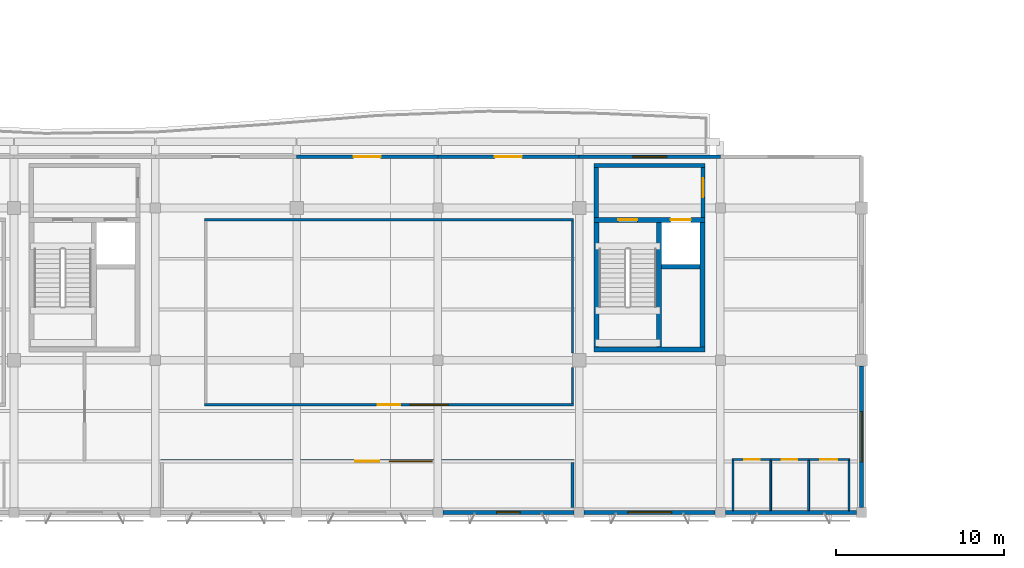
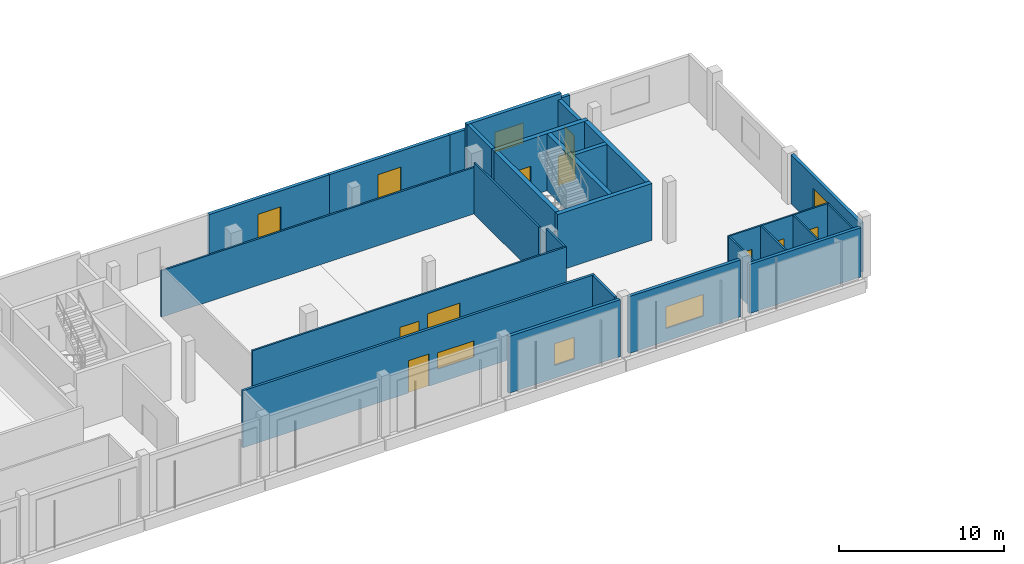
# One storey, part 17 of 28: 27 walls, 10 doors, 6 windows, 16 openings.
"""IFC4 building model written with IfcOpenShell, lengths in metres."""

from ifc_helpers import new_model, si_unit, direction, frame, frame_2d, origin, place, context, subcontext, project, spatial, rectangle, extrude, material, layer, layer_set, type_object, element, fill, save


model = new_model("IFC4")

# Units and contexts
model_context = context("Model", 3, precision=1e-05, world=origin(), true_north=direction((0.0, 1.0)))
body_context = subcontext(model_context, "Body", "Model", "MODEL_VIEW")
ifc_project = project(units=[si_unit("LENGTHUNIT", "METRE"), si_unit("AREAUNIT", "SQUARE_METRE"), si_unit("VOLUMEUNIT", "CUBIC_METRE"), si_unit("PLANEANGLEUNIT", "RADIAN"), si_unit("MASSUNIT", "GRAM", prefix="KILO")], contexts=[model_context])

# Site, building, storey
site_placement = place(None, origin())
site = spatial("IfcSite", under=ifc_project, at=site_placement, CompositionType="ELEMENT")
building_placement = place(site_placement, origin())
building = spatial("IfcBuilding", under=site, at=building_placement, Name="Khurvash Pelagic Aquarium", CompositionType="ELEMENT")
storey_placement = place(building_placement, frame((0.0, 0.0, 20.10009765625)))
storey = spatial("IfcBuildingStorey", under=building, at=storey_placement, Name="L04", CompositionType="ELEMENT", Elevation=20.10009765625)

# Wall, opening, window
ifc_material_1 = material(Name="Glass-fibre reinforced concrete C40/50", Category="concrete")
ifc_layer_1 = layer(ifc_material_1, 0.219970703125)
ifc_layer_set_1 = layer_set([ifc_layer_1], Name="Glass-fibre reinforced concrete C40/50")
wall_type_1 = type_object("IfcWallType", Name="EW-220", PredefinedType="STANDARD", material=ifc_layer_set_1)
wall_1_placement = place(storey_placement, frame((84.304931640625, 2.60009765625, 0.0), z_axis=(0.0, 0.0, 1.0), x_axis=(1.0, 0.0, 0.0)))
wall_1 = element("IfcWall", 1, at=wall_1_placement, inside=storey, type_object=wall_type_1, Name="L04 Exterior Architectural Facade Wall EW-220 0170", PredefinedType="STANDARD", context=body_context, shape_type="SweptSolid", body=[
    extrude(rectangle(XDim=7.7900390625, YDim=0.219970703125, at=frame_2d((3.89501953125, 0.0))), origin(), (0.0, 0.0, 1.0), 4.199951171875),
])
opening_1_placement = place(wall_1_placement, frame((3.195068359375, 0.0, 0.949951171875)))
opening_1 = element("IfcOpeningElement", 2, at=opening_1_placement, cuts=wall_1, Name="Opening WN-10", PredefinedType="OPENING", context=body_context, shape_type="SweptSolid", body=[
    extrude(rectangle(XDim=1.39990234375, YDim=1.60009765625, at=frame_2d((0.699951171875, 0.800048828125))), frame((0.0, 0.1201171875, 0.0), z_axis=(0.0, -1.0, 0.0), x_axis=(1.0, 0.0, 0.0)), (0.0, 0.0, 1.0), 0.239990234375),
])
ifc_material_2 = material(Name="Thermally broken aluminium and low-E glass", Category="aluminium")
window_type_1 = type_object("IfcWindowType", Name="WN-10", PartitioningType="SINGLE_PANEL", PredefinedType="WINDOW", material=ifc_material_2)
window_1_placement = place(opening_1_placement, origin())
window_1 = element("IfcWindow", 3, at=window_1_placement, inside=storey, type_object=window_type_1, Name="L04 Facade Window WN-10 0115", OverallHeight=1.60009765625, OverallWidth=1.39990234375, PartitioningType="SINGLE_PANEL", PredefinedType="WINDOW", context=body_context, shape_type="SweptSolid", body=[
    extrude(rectangle(XDim=1.39990234375, YDim=1.60009765625, at=frame_2d((0.699951171875, 0.800048828125))), frame((0.0, 0.030029296875, 0.0), z_axis=(0.0, -1.0, 0.0), x_axis=(1.0, 0.0, 0.0)), (0.0, 0.0, 1.0), 0.06005859375),
])
fill(opening_1, window_1)

wall_2_placement = place(storey_placement, frame((92.705078125, 2.60009765625, 0.0), z_axis=(0.0, 0.0, 1.0), x_axis=(1.0, 0.0, 0.0)))
wall_2 = element("IfcWall", 4, at=wall_2_placement, inside=storey, type_object=wall_type_1, Name="L04 Exterior Architectural Facade Wall EW-220 0171", PredefinedType="STANDARD", context=body_context, shape_type="SweptSolid", body=[
    extrude(rectangle(XDim=7.7900390625, YDim=0.219970703125, at=frame_2d((3.89501953125, 0.0))), origin(), (0.0, 0.0, 1.0), 4.199951171875),
])
opening_2_placement = place(wall_2_placement, frame((2.594970703125, 0.0, 0.949951171875)))
opening_2 = element("IfcOpeningElement", 5, at=opening_2_placement, cuts=wall_2, Name="Opening WN-12", PredefinedType="OPENING", context=body_context, shape_type="SweptSolid", body=[
    extrude(rectangle(XDim=2.60009765625, YDim=1.60009765625, at=frame_2d((1.300048828125, 0.800048828125))), frame((0.0, 0.1201171875, 0.0), z_axis=(0.0, -1.0, 0.0), x_axis=(1.0, 0.0, 0.0)), (0.0, 0.0, 1.0), 0.239990234375),
])
window_type_2 = type_object("IfcWindowType", Name="WN-12", PartitioningType="SINGLE_PANEL", PredefinedType="WINDOW", material=ifc_material_2)
window_2_placement = place(opening_2_placement, origin())
window_2 = element("IfcWindow", 6, at=window_2_placement, inside=storey, type_object=window_type_2, Name="L04 Facade Window WN-12 0116", OverallHeight=1.60009765625, OverallWidth=2.60009765625, PartitioningType="SINGLE_PANEL", PredefinedType="WINDOW", context=body_context, shape_type="SweptSolid", body=[
    extrude(rectangle(XDim=2.60009765625, YDim=1.60009765625, at=frame_2d((1.300048828125, 0.800048828125))), frame((0.0, 0.030029296875, 0.0), z_axis=(0.0, -1.0, 0.0), x_axis=(1.0, 0.0, 0.0)), (0.0, 0.0, 1.0), 0.06005859375),
])
fill(opening_2, window_2)

# Wall
wall_3_placement = place(storey_placement, frame((101.10498046875, 2.60009765625, 0.0), z_axis=(0.0, 0.0, 1.0), x_axis=(1.0, 0.0, 0.0)))
element("IfcWall", 7, at=wall_3_placement, inside=storey, type_object=wall_type_1, Name="L04 Exterior Architectural Facade Wall EW-220 0172", PredefinedType="STANDARD", context=body_context, shape_type="SweptSolid", body=[
    extrude(rectangle(XDim=7.7900390625, YDim=0.219970703125, at=frame_2d((3.89501953125, 0.0))), origin(), (0.0, 0.0, 1.0), 3.630859375),
])

# Wall, opening, window
wall_4_placement = place(storey_placement, frame((109.199951171875, 2.905029296875, 0.0), z_axis=(0.0, 0.0, 1.0), x_axis=(0.0, 1.0, 0.0)))
wall_4 = element("IfcWall", 8, at=wall_4_placement, inside=storey, type_object=wall_type_1, Name="L04 Exterior Architectural Facade Wall EW-220 0173", PredefinedType="STANDARD", context=body_context, shape_type="SweptSolid", body=[
    extrude(rectangle(XDim=8.389892578125, YDim=0.219970703125, at=frame_2d((4.19482421875, 0.0))), origin(), (0.0, 0.0, 1.0), 3.630859375),
])
opening_3_placement = place(wall_4_placement, frame((2.695068359375, 0.0, 0.949951171875)))
opening_3 = element("IfcOpeningElement", 9, at=opening_3_placement, cuts=wall_4, Name="Opening WN-06", PredefinedType="OPENING", context=body_context, shape_type="SweptSolid", body=[
    extrude(rectangle(XDim=3.0, YDim=1.800048828125, at=frame_2d((1.5, 0.89990234375))), frame((0.0, 0.1201171875, 0.0), z_axis=(0.0, -1.0, 0.0), x_axis=(1.0, 0.0, 0.0)), (0.0, 0.0, 1.0), 0.239990234375),
])
window_type_3 = type_object("IfcWindowType", Name="WN-06", PartitioningType="SINGLE_PANEL", PredefinedType="WINDOW", material=ifc_material_2)
window_3_placement = place(opening_3_placement, origin())
window_3 = element("IfcWindow", 10, at=window_3_placement, inside=storey, type_object=window_type_3, Name="L04 Facade Window WN-06 0117", OverallHeight=1.800048828125, OverallWidth=3.0, PartitioningType="SINGLE_PANEL", PredefinedType="WINDOW", context=body_context, shape_type="SweptSolid", body=[
    extrude(rectangle(XDim=3.0, YDim=1.800048828125, at=frame_2d((1.5, 0.89990234375))), frame((0.0, 0.030029296875, 0.0), z_axis=(0.0, -1.0, 0.0), x_axis=(1.0, 0.0, 0.0)), (0.0, 0.0, 1.0), 0.06005859375),
])
fill(opening_3, window_3)

wall_5_placement = place(storey_placement, frame((100.800048828125, 23.75, 0.0), z_axis=(0.0, 0.0, 1.0), x_axis=(-1.0, 0.0, 0.0)))
wall_5 = element("IfcWall", 11, at=wall_5_placement, inside=storey, type_object=wall_type_1, Name="L04 Exterior Architectural Facade Wall EW-220 0177", PredefinedType="STANDARD", context=body_context, shape_type="SweptSolid", body=[
    extrude(rectangle(XDim=8.400146484375, YDim=0.219970703125, at=frame_2d((4.2001953125, 0.0))), origin(), (0.0, 0.0, 1.0), 3.427978515625),
])
opening_4_placement = place(wall_5_placement, frame((3.199951171875, 0.0, 0.949951171875)))
opening_4 = element("IfcOpeningElement", 12, at=opening_4_placement, cuts=wall_5, Name="Opening WN-11", PredefinedType="OPENING", context=body_context, shape_type="SweptSolid", body=[
    extrude(rectangle(XDim=2.0, YDim=1.5, at=frame_2d((1.0, 0.75))), frame((0.0, 0.1201171875, 0.0), z_axis=(0.0, -1.0, 0.0), x_axis=(1.0, 0.0, 0.0)), (0.0, 0.0, 1.0), 0.239990234375),
])
window_type_4 = type_object("IfcWindowType", Name="WN-11", PartitioningType="SINGLE_PANEL", PredefinedType="WINDOW", material=ifc_material_2)
window_4_placement = place(opening_4_placement, origin())
window_4 = element("IfcWindow", 13, at=window_4_placement, inside=storey, type_object=window_type_4, Name="L04 Facade Window WN-11 0120", OverallHeight=1.5, OverallWidth=2.0, PartitioningType="SINGLE_PANEL", PredefinedType="WINDOW", context=body_context, shape_type="SweptSolid", body=[
    extrude(rectangle(XDim=2.0, YDim=1.5, at=frame_2d((1.0, 0.75))), frame((0.0, 0.030029296875, 0.0), z_axis=(0.0, -1.0, 0.0), x_axis=(1.0, 0.0, 0.0)), (0.0, 0.0, 1.0), 0.06005859375),
])
fill(opening_4, window_4)

# Wall, opening, door
wall_6_placement = place(storey_placement, frame((92.39990234375, 23.75, 0.0), z_axis=(0.0, 0.0, 1.0), x_axis=(-1.0, 0.0, 0.0)))
wall_6 = element("IfcWall", 14, at=wall_6_placement, inside=storey, type_object=wall_type_1, Name="L04 Exterior Architectural Facade Wall EW-220 0178", PredefinedType="STANDARD", context=body_context, shape_type="SweptSolid", body=[
    extrude(rectangle(XDim=8.39990234375, YDim=0.219970703125, at=frame_2d((4.199951171875, 0.0))), origin(), (0.0, 0.0, 1.0), 3.427978515625),
])
opening_5_placement = place(wall_6_placement, frame((3.39990234375, 0.0, 0.0)))
opening_5 = element("IfcOpeningElement", 15, at=opening_5_placement, cuts=wall_6, Name="Opening ED-03", PredefinedType="OPENING", context=body_context, shape_type="SweptSolid", body=[
    extrude(rectangle(XDim=1.60009765625, YDim=2.25, at=frame_2d((0.800048828125, 1.125))), frame((0.0, 0.1201171875, 0.0), z_axis=(0.0, -1.0, 0.0), x_axis=(1.0, 0.0, 0.0)), (0.0, 0.0, 1.0), 0.239990234375),
])
ifc_material_3 = material(Name="Thermally broken glazed aluminium", Category="aluminium")
door_type_1 = type_object("IfcDoorType", Name="ED-03", OperationType="DOUBLE_DOOR_SINGLE_SWING", PredefinedType="DOOR", material=ifc_material_3)
door_1_placement = place(opening_5_placement, frame((1.60009765625, 0.0, 0.0), z_axis=(0.0, 0.0, 1.0), x_axis=(-1.0, 0.0, 0.0)))
door_1 = element("IfcDoor", 16, at=door_1_placement, inside=storey, type_object=door_type_1, Name="DR-0221", OperationType="DOUBLE_DOOR_SINGLE_SWING", OverallHeight=2.25, OverallWidth=1.60009765625, PredefinedType="DOOR", context=body_context, shape_type="SweptSolid", body=[
    extrude(rectangle(XDim=1.60009765625, YDim=2.25, at=frame_2d((0.800048828125, 1.125))), frame((0.0, 0.02490234375, 0.0), z_axis=(0.0, -1.0, 0.0), x_axis=(1.0, 0.0, 0.0)), (0.0, 0.0, 1.0), 0.050048828125),
])
fill(opening_5, door_1)

wall_7_placement = place(storey_placement, frame((84.0, 23.75, 0.0), z_axis=(0.0, 0.0, 1.0), x_axis=(-1.0, 0.0, 0.0)))
wall_7 = element("IfcWall", 17, at=wall_7_placement, inside=storey, type_object=wall_type_1, Name="L04 Exterior Architectural Facade Wall EW-220 0179", PredefinedType="STANDARD", context=body_context, shape_type="SweptSolid", body=[
    extrude(rectangle(XDim=8.39990234375, YDim=0.219970703125, at=frame_2d((4.199951171875, 0.0))), origin(), (0.0, 0.0, 1.0), 3.427978515625),
])
opening_6_placement = place(wall_7_placement, frame((3.39990234375, 0.0, 0.0)))
opening_6 = element("IfcOpeningElement", 18, at=opening_6_placement, cuts=wall_7, Name="Opening ED-03", PredefinedType="OPENING", context=body_context, shape_type="SweptSolid", body=[
    extrude(rectangle(XDim=1.60009765625, YDim=2.25, at=frame_2d((0.800048828125, 1.125))), frame((0.0, 0.1201171875, 0.0), z_axis=(0.0, -1.0, 0.0), x_axis=(1.0, 0.0, 0.0)), (0.0, 0.0, 1.0), 0.239990234375),
])
door_2_placement = place(opening_6_placement, frame((1.60009765625, 0.0, 0.0), z_axis=(0.0, 0.0, 1.0), x_axis=(-1.0, 0.0, 0.0)))
door_2 = element("IfcDoor", 19, at=door_2_placement, inside=storey, type_object=door_type_1, Name="DR-0222", OperationType="DOUBLE_DOOR_SINGLE_SWING", OverallHeight=2.25, OverallWidth=1.60009765625, PredefinedType="DOOR", context=body_context, shape_type="SweptSolid", body=[
    extrude(rectangle(XDim=1.60009765625, YDim=2.25, at=frame_2d((0.800048828125, 1.125))), frame((0.0, 0.02490234375, 0.0), z_axis=(0.0, -1.0, 0.0), x_axis=(1.0, 0.0, 0.0)), (0.0, 0.0, 1.0), 0.050048828125),
])
fill(opening_6, door_2)

# Wall, openings, doors
ifc_material_4 = material(Name="Ceramic-tiled wet-room partition", Category="masonry")
ifc_layer_2 = layer(ifc_material_4, 0.110107421875)
ifc_layer_set_2 = layer_set([ifc_layer_2], Name="Ceramic-tiled wet-room partition")
wall_type_2 = type_object("IfcWallType", Name="PW-110", PredefinedType="PARTITIONING", material=ifc_layer_set_2)
wall_8_placement = place(storey_placement, frame((101.4951171875, 5.75, 0.0), z_axis=(0.0, 0.0, 1.0), x_axis=(1.0, 0.0, 0.0)))
wall_8 = element("IfcWall", 20, at=wall_8_placement, inside=storey, type_object=wall_type_2, Name="L04 Restroom Bank Corridor Wall PW-110", PredefinedType="PARTITIONING", context=body_context, shape_type="SweptSolid", body=[
    extrude(rectangle(XDim=7.009765625, YDim=0.110107421875, at=frame_2d((3.5048828125, 0.0))), origin(), (0.0, 0.0, 1.0), 3.630859375),
])
opening_7_placement = place(wall_8_placement, frame((0.719970703125, 0.0, 0.0)))
opening_7 = element("IfcOpeningElement", 21, at=opening_7_placement, cuts=wall_8, Name="Opening ID-01", PredefinedType="OPENING", context=body_context, shape_type="SweptSolid", body=[
    extrude(rectangle(XDim=0.919921875, YDim=2.10009765625, at=frame_2d((0.4599609375, 1.050048828125))), frame((0.0, 0.06494140625, 0.0), z_axis=(0.0, -1.0, 0.0), x_axis=(1.0, 0.0, 0.0)), (0.0, 0.0, 1.0), 0.130126953125),
])
opening_8_placement = place(wall_8_placement, frame((2.969970703125, 0.0, 0.0)))
opening_8 = element("IfcOpeningElement", 22, at=opening_8_placement, cuts=wall_8, Name="Opening ID-01", PredefinedType="OPENING", context=body_context, shape_type="SweptSolid", body=[
    extrude(rectangle(XDim=0.919921875, YDim=2.10009765625, at=frame_2d((0.4599609375, 1.050048828125))), frame((0.0, 0.06494140625, 0.0), z_axis=(0.0, -1.0, 0.0), x_axis=(1.0, 0.0, 0.0)), (0.0, 0.0, 1.0), 0.130126953125),
])
opening_9_placement = place(wall_8_placement, frame((5.2548828125, 0.0, 0.0)))
opening_9 = element("IfcOpeningElement", 23, at=opening_9_placement, cuts=wall_8, Name="Opening ID-02", PredefinedType="OPENING", context=body_context, shape_type="SweptSolid", body=[
    extrude(rectangle(XDim=1.0, YDim=2.14990234375, at=frame_2d((0.5, 1.074951171875))), frame((0.0, 0.06494140625, 0.0), z_axis=(0.0, -1.0, 0.0), x_axis=(1.0, 0.0, 0.0)), (0.0, 0.0, 1.0), 0.130126953125),
])
ifc_material_5 = material(Name="High-pressure laminate solid-core timber", Category="wood")
door_type_2 = type_object("IfcDoorType", Name="ID-01", OperationType="NOTDEFINED", PredefinedType="DOOR", material=ifc_material_5)
door_3_placement = place(opening_7_placement, origin())
door_3 = element("IfcDoor", 24, at=door_3_placement, inside=storey, type_object=door_type_2, Name="DR-0230", OperationType="SINGLE_SWING_RIGHT", OverallHeight=2.10009765625, OverallWidth=0.919921875, PredefinedType="DOOR", context=body_context, shape_type="SweptSolid", body=[
    extrude(rectangle(XDim=0.919921875, YDim=2.10009765625, at=frame_2d((0.4599609375, 1.050048828125))), frame((0.0, 0.02490234375, 0.0), z_axis=(0.0, -1.0, 0.0), x_axis=(1.0, 0.0, 0.0)), (0.0, 0.0, 1.0), 0.050048828125),
])
fill(opening_7, door_3)
door_4_placement = place(opening_8_placement, origin())
door_4 = element("IfcDoor", 25, at=door_4_placement, inside=storey, type_object=door_type_2, Name="DR-0231", OperationType="SINGLE_SWING_LEFT", OverallHeight=2.10009765625, OverallWidth=0.919921875, PredefinedType="DOOR", context=body_context, shape_type="SweptSolid", body=[
    extrude(rectangle(XDim=0.919921875, YDim=2.10009765625, at=frame_2d((0.4599609375, 1.050048828125))), frame((0.0, 0.02490234375, 0.0), z_axis=(0.0, -1.0, 0.0), x_axis=(1.0, 0.0, 0.0)), (0.0, 0.0, 1.0), 0.050048828125),
])
fill(opening_8, door_4)
door_type_3 = type_object("IfcDoorType", Name="ID-02", OperationType="NOTDEFINED", PredefinedType="DOOR", material=ifc_material_5)
door_5_placement = place(opening_9_placement, origin())
door_5 = element("IfcDoor", 26, at=door_5_placement, inside=storey, type_object=door_type_3, Name="DR-0232", OperationType="SINGLE_SWING_RIGHT", OverallHeight=2.14990234375, OverallWidth=1.0, PredefinedType="DOOR", context=body_context, shape_type="SweptSolid", body=[
    extrude(rectangle(XDim=1.0, YDim=2.14990234375, at=frame_2d((0.5, 1.074951171875))), frame((0.0, 0.02490234375, 0.0), z_axis=(0.0, -1.0, 0.0), x_axis=(1.0, 0.0, 0.0)), (0.0, 0.0, 1.0), 0.050048828125),
])
fill(opening_9, door_5)

# Walls
for number, where, z_axis, x_axis, name in (
    (27, (101.550048828125, 2.7099609375, 0.0), (0.0, 0.0, 1.0), (0.0, 1.0, 0.0), "L04 Restroom Divider Partition PW-110"),
    (28, (103.800048828125, 2.7099609375, 0.0), (0.0, 0.0, 1.0), (0.0, 1.0, 0.0), "L04 Restroom Divider Partition PW-110"),
    (29, (106.050048828125, 2.7099609375, 0.0), (0.0, 0.0, 1.0), (0.0, 1.0, 0.0), "L04 Restroom Divider Partition PW-110"),
    (30, (108.449951171875, 2.7099609375, 0.0), (0.0, 0.0, 1.0), (0.0, 1.0, 0.0), "L04 Restroom Divider Partition PW-110"),
):
    element("IfcWall", number, at=place(storey_placement, frame(where, z_axis=z_axis, x_axis=x_axis)), inside=storey, type_object=wall_type_2, Name=name, PredefinedType="PARTITIONING", context=body_context, shape_type="SweptSolid", body=[
        extrude(rectangle(XDim=2.985107421875, YDim=0.110107421875, at=frame_2d((1.49267578125, 0.0))), origin(), (0.0, 0.0, 1.0), 3.630859375),
    ])

# Wall, openings, door, window
ifc_material_6 = material(Name="Moisture-resistant gypsum and steel stud", Category="steel")
ifc_layer_3 = layer(ifc_material_6, 0.125)
ifc_layer_set_3 = layer_set([ifc_layer_3], Name="Moisture-resistant gypsum and steel stud")
wall_type_3 = type_object("IfcWallType", Name="PW-125", PredefinedType="PARTITIONING", material=ifc_layer_set_3)
wall_9_placement = place(storey_placement, frame((70.137939453125, 9.0, 0.0), z_axis=(0.0, 0.0, 1.0), x_axis=(1.0, 0.0, 0.0)))
wall_9 = element("IfcWall", 31, at=wall_9_placement, inside=storey, type_object=wall_type_3, Name="L04 Exhibit Design and Curatorial Studio Partition Wall PW-125", PredefinedType="PARTITIONING", context=body_context, shape_type="SweptSolid", body=[
    extrude(rectangle(XDim=21.924072265625, YDim=0.125, at=frame_2d((10.9619140625, 0.0))), origin(), (0.0, 0.0, 1.0), 4.199951171875),
])
opening_10_placement = place(wall_9_placement, frame((10.2919921875, 0.0, 0.0)))
opening_10 = element("IfcOpeningElement", 32, at=opening_10_placement, cuts=wall_9, Name="Opening ID-31", PredefinedType="OPENING", context=body_context, shape_type="SweptSolid", body=[
    extrude(rectangle(XDim=1.340087890625, YDim=2.320068359375, at=frame_2d((0.669921875, 1.16015625))), frame((0.0, 0.072509765625, 0.0), z_axis=(0.0, -1.0, 0.0), x_axis=(1.0, 0.0, 0.0)), (0.0, 0.0, 1.0), 0.14501953125),
])
opening_11_placement = place(wall_9_placement, frame((12.23193359375, 0.0, 1.0498046875)))
opening_11 = element("IfcOpeningElement", 33, at=opening_11_placement, cuts=wall_9, Name="Opening IW-09", PredefinedType="OPENING", context=body_context, shape_type="SweptSolid", body=[
    extrude(rectangle(XDim=2.25, YDim=1.60009765625, at=frame_2d((1.125, 0.800048828125))), frame((0.0, 0.072509765625, 0.0), z_axis=(0.0, -1.0, 0.0), x_axis=(1.0, 0.0, 0.0)), (0.0, 0.0, 1.0), 0.14501953125),
])
ifc_material_7 = material(Name="FRP specimen lab door", Category="wood")
door_type_4 = type_object("IfcDoorType", Name="ID-31", OperationType="NOTDEFINED", PredefinedType="DOOR", material=ifc_material_7)
door_6_placement = place(opening_10_placement, origin())
door_6 = element("IfcDoor", 34, at=door_6_placement, inside=storey, type_object=door_type_4, Name="DR-0235", OperationType="SINGLE_SWING_LEFT", OverallHeight=2.320068359375, OverallWidth=1.340087890625, PredefinedType="DOOR", context=body_context, shape_type="SweptSolid", body=[
    extrude(rectangle(XDim=1.340087890625, YDim=2.320068359375, at=frame_2d((0.669921875, 1.16015625))), frame((0.0, 0.02490234375, 0.0), z_axis=(0.0, -1.0, 0.0), x_axis=(1.0, 0.0, 0.0)), (0.0, 0.0, 1.0), 0.050048828125),
])
fill(opening_10, door_6)
ifc_material_8 = material(Name="Acoustic laminated interior observation glazing", Category="glass")
window_type_5 = type_object("IfcWindowType", Name="IW-09", PartitioningType="SINGLE_PANEL", PredefinedType="WINDOW", material=ifc_material_8)
window_5_placement = place(opening_11_placement, origin())
window_5 = element("IfcWindow", 35, at=window_5_placement, inside=storey, type_object=window_type_5, Name="L04 Exhibit Design and Curatorial Studio Observation Window IW-09", OverallHeight=1.60009765625, OverallWidth=2.25, PartitioningType="SINGLE_PANEL", PredefinedType="WINDOW", context=body_context, shape_type="SweptSolid", body=[
    extrude(rectangle(XDim=2.25, YDim=1.60009765625, at=frame_2d((1.125, 0.800048828125))), frame((0.0, 0.030029296875, 0.0), z_axis=(0.0, -1.0, 0.0), x_axis=(1.0, 0.0, 0.0)), (0.0, 0.0, 1.0), 0.06005859375),
])
fill(opening_11, window_5)

# Walls
wall_10_placement = place(storey_placement, frame((70.137939453125, 20.0, 0.0), z_axis=(0.0, 0.0, 1.0), x_axis=(1.0, 0.0, 0.0)))
element("IfcWall", 36, at=wall_10_placement, inside=storey, type_object=wall_type_3, Name="L04 Exhibit Design and Curatorial Studio Partition Wall PW-125", PredefinedType="PARTITIONING", context=body_context, shape_type="SweptSolid", body=[
    extrude(rectangle(XDim=21.924072265625, YDim=0.125, at=frame_2d((10.9619140625, 0.0))), origin(), (0.0, 0.0, 1.0), 3.427978515625),
])
wall_11_placement = place(storey_placement, frame((92.0, 9.06201171875, 0.0), z_axis=(0.0, 0.0, 1.0), x_axis=(0.0, 1.0, 0.0)))
element("IfcWall", 37, at=wall_11_placement, inside=storey, type_object=wall_type_3, Name="L04 Exhibit Design and Curatorial Studio Partition Wall PW-125", PredefinedType="PARTITIONING", context=body_context, shape_type="SweptSolid", body=[
    extrude(rectangle(XDim=2.14794921875, YDim=0.125, at=frame_2d((1.073974609375, 0.0))), origin(), (0.0, 0.0, 1.0), 4.199951171875),
])
wall_12_placement = place(storey_placement, frame((92.0, 12.090087890625, 0.0), z_axis=(0.0, 0.0, 1.0), x_axis=(0.0, 1.0, 0.0)))
element("IfcWall", 38, at=wall_12_placement, inside=storey, type_object=wall_type_3, Name="L04 Exhibit Design and Curatorial Studio Partition Wall PW-125", PredefinedType="PARTITIONING", context=body_context, shape_type="SweptSolid", body=[
    extrude(rectangle(XDim=7.847900390625, YDim=0.125, at=frame_2d((3.923828125, 0.0))), origin(), (0.0, 0.0, 1.0), 3.782958984375),
])

# Wall, openings, door, window
ifc_material_9 = material(Name="AAC blockwork", Category="masonry")
ifc_layer_4 = layer(ifc_material_9, 0.169921875)
ifc_layer_set_4 = layer_set([ifc_layer_4], Name="AAC blockwork")
wall_type_4 = type_object("IfcWallType", Name="PW-170", PredefinedType="PARTITIONING", material=ifc_layer_set_4)
wall_13_placement = place(storey_placement, frame((67.514892578125, 5.64990234375, 0.0), z_axis=(0.0, 0.0, 1.0), x_axis=(1.0, 0.0, 0.0)))
wall_13 = element("IfcWall", 39, at=wall_13_placement, inside=storey, type_object=wall_type_4, Name="L04 Aquarium Directorate Administration Partition Wall PW-170", PredefinedType="PARTITIONING", context=body_context, shape_type="SweptSolid", body=[
    extrude(rectangle(XDim=24.570068359375, YDim=0.169921875, at=frame_2d((12.28515625, 0.0))), origin(), (0.0, 0.0, 1.0), 4.199951171875),
])
opening_12_placement = place(wall_13_placement, frame((11.574951171875, 0.0, 0.0)))
opening_12 = element("IfcOpeningElement", 40, at=opening_12_placement, cuts=wall_13, Name="Opening ID-32", PredefinedType="OPENING", context=body_context, shape_type="SweptSolid", body=[
    extrude(rectangle(XDim=1.419921875, YDim=2.3798828125, at=frame_2d((0.7099609375, 1.18994140625))), frame((0.0, 0.094970703125, 0.0), z_axis=(0.0, -1.0, 0.0), x_axis=(1.0, 0.0, 0.0)), (0.0, 0.0, 1.0), 0.18994140625),
])
opening_13_placement = place(wall_13_placement, frame((13.594970703125, 0.0, 1.0498046875)))
opening_13 = element("IfcOpeningElement", 41, at=opening_13_placement, cuts=wall_13, Name="Opening IW-10", PredefinedType="OPENING", context=body_context, shape_type="SweptSolid", body=[
    extrude(rectangle(XDim=2.550048828125, YDim=1.199951171875, at=frame_2d((1.27490234375, 0.60009765625))), frame((0.0, 0.094970703125, 0.0), z_axis=(0.0, -1.0, 0.0), x_axis=(1.0, 0.0, 0.0)), (0.0, 0.0, 1.0), 0.18994140625),
])
ifc_material_10 = material(Name="Galvanised LSS skid room door", Category="wood")
door_type_5 = type_object("IfcDoorType", Name="ID-32", OperationType="NOTDEFINED", PredefinedType="DOOR", material=ifc_material_10)
door_7_placement = place(opening_12_placement, frame((1.419921875, 0.0, 0.0), z_axis=(0.0, 0.0, 1.0), x_axis=(-1.0, 0.0, 0.0)))
door_7 = element("IfcDoor", 42, at=door_7_placement, inside=storey, type_object=door_type_5, Name="DR-0236", OperationType="SINGLE_SWING_RIGHT", OverallHeight=2.3798828125, OverallWidth=1.419921875, PredefinedType="DOOR", context=body_context, shape_type="SweptSolid", body=[
    extrude(rectangle(XDim=1.419921875, YDim=2.3798828125, at=frame_2d((0.7099609375, 1.18994140625))), frame((0.0, 0.02490234375, 0.0), z_axis=(0.0, -1.0, 0.0), x_axis=(1.0, 0.0, 0.0)), (0.0, 0.0, 1.0), 0.050048828125),
])
fill(opening_12, door_7)
window_type_6 = type_object("IfcWindowType", Name="IW-10", PartitioningType="SINGLE_PANEL", PredefinedType="WINDOW", material=ifc_material_8)
window_6_placement = place(opening_13_placement, origin())
window_6 = element("IfcWindow", 43, at=window_6_placement, inside=storey, type_object=window_type_6, Name="L04 Aquarium Directorate Administration Observation Window IW-10", OverallHeight=1.199951171875, OverallWidth=2.550048828125, PartitioningType="SINGLE_PANEL", PredefinedType="WINDOW", context=body_context, shape_type="SweptSolid", body=[
    extrude(rectangle(XDim=2.550048828125, YDim=1.199951171875, at=frame_2d((1.27490234375, 0.60009765625))), frame((0.0, 0.030029296875, 0.0), z_axis=(0.0, -1.0, 0.0), x_axis=(1.0, 0.0, 0.0)), (0.0, 0.0, 1.0), 0.06005859375),
])
fill(opening_13, window_6)

# Walls
wall_14_placement = place(storey_placement, frame((92.0, 2.885009765625, 0.0), z_axis=(0.0, 0.0, 1.0), x_axis=(0.0, 1.0, 0.0)))
element("IfcWall", 44, at=wall_14_placement, inside=storey, type_object=wall_type_4, Name="L04 Aquarium Directorate Administration Partition Wall PW-170", PredefinedType="PARTITIONING", context=body_context, shape_type="SweptSolid", body=[
    extrude(rectangle(XDim=2.679931640625, YDim=0.169921875, at=frame_2d((1.33984375, 0.0))), origin(), (0.0, 0.0, 1.0), 4.199951171875),
])
ifc_layer_5 = layer(ifc_material_9, 0.25)
ifc_layer_set_5 = layer_set([ifc_layer_5], Name="AAC blockwork")
wall_type_5 = type_object("IfcWallType", Name="PW-250", PredefinedType="PARTITIONING", material=ifc_layer_set_5)
wall_15_placement = place(storey_placement, frame((93.300048828125, 23.22509765625, 0.0), z_axis=(0.0, 0.0, 1.0), x_axis=(1.0, 0.0, 0.0)))
element("IfcWall", 45, at=wall_15_placement, inside=storey, type_object=wall_type_5, Name="L04 Core C3 Lobby Front Fire Wall PW-250", PredefinedType="PARTITIONING", context=body_context, shape_type="SweptSolid", body=[
    extrude(rectangle(XDim=6.599853515625, YDim=0.25, at=frame_2d((3.2998046875, 0.0))), origin(), (0.0, 0.0, 1.0), 4.199951171875),
])
wall_16_placement = place(storey_placement, frame((93.425048828125, 20.14990234375, 0.0), z_axis=(0.0, 0.0, 1.0), x_axis=(0.0, 1.0, 0.0)))
element("IfcWall", 46, at=wall_16_placement, inside=storey, type_object=wall_type_5, Name="L04 Core C3 Lobby West Fire Wall PW-250", PredefinedType="PARTITIONING", context=body_context, shape_type="SweptSolid", body=[
    extrude(rectangle(XDim=2.9501953125, YDim=0.25, at=frame_2d((1.47509765625, 0.0))), origin(), (0.0, 0.0, 1.0), 4.199951171875),
])

# Wall, opening, door
wall_17_placement = place(storey_placement, frame((99.77490234375, 20.14990234375, 0.0), z_axis=(0.0, 0.0, 1.0), x_axis=(0.0, 1.0, 0.0)))
wall_17 = element("IfcWall", 47, at=wall_17_placement, inside=storey, type_object=wall_type_5, Name="L04 Core C3 Lobby East Fire Wall PW-250", PredefinedType="PARTITIONING", context=body_context, shape_type="SweptSolid", body=[
    extrude(rectangle(XDim=2.9501953125, YDim=0.25, at=frame_2d((1.47509765625, 0.0))), origin(), (0.0, 0.0, 1.0), 3.782958984375),
])
opening_14_placement = place(wall_17_placement, frame((1.179931640625, 0.0, 0.0)))
opening_14 = element("IfcOpeningElement", 48, at=opening_14_placement, cuts=wall_17, Name="Opening FD-01", PredefinedType="OPENING", context=body_context, shape_type="SweptSolid", body=[
    extrude(rectangle(XDim=1.14990234375, YDim=2.199951171875, at=frame_2d((0.574951171875, 1.10009765625))), frame((0.0, 0.135009765625, 0.0), z_axis=(0.0, -1.0, 0.0), x_axis=(1.0, 0.0, 0.0)), (0.0, 0.0, 1.0), 0.27001953125),
])
ifc_material_11 = material(Name="Galvanised steel fire door", Category="steel")
door_type_6 = type_object("IfcDoorType", Name="FD-01", OperationType="NOTDEFINED", PredefinedType="DOOR", material=ifc_material_11)
door_8_placement = place(opening_14_placement, frame((1.14990234375, 0.0, 0.0), z_axis=(0.0, 0.0, 1.0), x_axis=(-1.0, 0.0, 0.0)))
door_8 = element("IfcDoor", 49, at=door_8_placement, inside=storey, type_object=door_type_6, Name="DR-0242", OperationType="SINGLE_SWING_LEFT", OverallHeight=2.199951171875, OverallWidth=1.14990234375, PredefinedType="DOOR", context=body_context, shape_type="SweptSolid", body=[
    extrude(rectangle(XDim=1.14990234375, YDim=2.199951171875, at=frame_2d((0.574951171875, 1.10009765625))), frame((0.0, 0.02490234375, 0.0), z_axis=(0.0, -1.0, 0.0), x_axis=(1.0, 0.0, 0.0)), (0.0, 0.0, 1.0), 0.050048828125),
])
fill(opening_14, door_8)

# Walls
ifc_material_12 = material(Name="Concrete C40/50", Category="concrete")
ifc_layer_6 = layer(ifc_material_12, 0.27490234375)
ifc_layer_set_6 = layer_set([ifc_layer_6], Name="Concrete C40/50")
wall_type_6 = type_object("IfcWallType", Name="SW-275", PredefinedType="SHEAR", material=ifc_layer_set_6)
wall_18_placement = place(storey_placement, frame((97.300048828125, 17.212890625, 0.0), z_axis=(0.0, 0.0, 1.0), x_axis=(1.0, 0.0, 0.0)))
element("IfcWall", 50, at=wall_18_placement, inside=storey, type_object=wall_type_6, Name="L04 Lift FL-02 Shaft Rear Shear Wall SW-275", PredefinedType="SHEAR", context=body_context, shape_type="SweptSolid", body=[
    extrude(rectangle(XDim=2.300048828125, YDim=0.27490234375, at=frame_2d((1.14990234375, 0.0))), origin(), (0.0, 0.0, 1.0), 4.199951171875),
])
ifc_layer_7 = layer(ifc_material_12, 0.300048828125)
ifc_layer_set_7 = layer_set([ifc_layer_7], Name="Concrete C40/50")
wall_type_7 = type_object("IfcWallType", Name="SW-300", PredefinedType="SHEAR", material=ifc_layer_set_7)
wall_19_placement = place(storey_placement, frame((93.300048828125, 12.300048828125, 0.0), z_axis=(0.0, 0.0, 1.0), x_axis=(1.0, 0.0, 0.0)))
element("IfcWall", 51, at=wall_19_placement, inside=storey, type_object=wall_type_7, Name="L04 Core C3 South Shear Wall SW-300", PredefinedType="SHEAR", context=body_context, shape_type="SweptSolid", body=[
    extrude(rectangle(XDim=6.599853515625, YDim=0.300048828125, at=frame_2d((3.2998046875, 0.0))), origin(), (0.0, 0.0, 1.0), 4.199951171875),
])

# Wall, openings, doors
wall_20_placement = place(storey_placement, frame((93.300048828125, 20.0, 0.0), z_axis=(0.0, 0.0, 1.0), x_axis=(1.0, 0.0, 0.0)))
wall_20 = element("IfcWall", 52, at=wall_20_placement, inside=storey, type_object=wall_type_7, Name="L04 Core C3 North Shear Wall SW-300", PredefinedType="SHEAR", context=body_context, shape_type="SweptSolid", body=[
    extrude(rectangle(XDim=6.599853515625, YDim=0.300048828125, at=frame_2d((3.2998046875, 0.0))), origin(), (0.0, 0.0, 1.0), 4.199951171875),
])
opening_15_placement = place(wall_20_placement, frame((1.425048828125, 0.0, 0.0)))
opening_15 = element("IfcOpeningElement", 53, at=opening_15_placement, cuts=wall_20, Name="Opening FD-01", PredefinedType="OPENING", context=body_context, shape_type="SweptSolid", body=[
    extrude(rectangle(XDim=1.14990234375, YDim=2.199951171875, at=frame_2d((0.574951171875, 1.10009765625))), frame((0.0, 0.16015625, 0.0), z_axis=(0.0, -1.0, 0.0), x_axis=(1.0, 0.0, 0.0)), (0.0, 0.0, 1.0), 0.320068359375),
])
opening_16_placement = place(wall_20_placement, frame((4.550048828125, 0.0, 0.0)))
opening_16 = element("IfcOpeningElement", 54, at=opening_16_placement, cuts=wall_20, Name="Opening LD-01", PredefinedType="OPENING", context=body_context, shape_type="SweptSolid", body=[
    extrude(rectangle(XDim=1.199951171875, YDim=2.14990234375, at=frame_2d((0.60009765625, 1.074951171875))), frame((0.0, 0.16015625, 0.0), z_axis=(0.0, -1.0, 0.0), x_axis=(1.0, 0.0, 0.0)), (0.0, 0.0, 1.0), 0.320068359375),
])
door_9_placement = place(opening_15_placement, frame((1.14990234375, 0.0, 0.0), z_axis=(0.0, 0.0, 1.0), x_axis=(-1.0, 0.0, 0.0)))
door_9 = element("IfcDoor", 55, at=door_9_placement, inside=storey, type_object=door_type_6, Name="DR-0215", OperationType="SINGLE_SWING_RIGHT", OverallHeight=2.199951171875, OverallWidth=1.14990234375, PredefinedType="DOOR", context=body_context, shape_type="SweptSolid", body=[
    extrude(rectangle(XDim=1.14990234375, YDim=2.199951171875, at=frame_2d((0.574951171875, 1.10009765625))), frame((0.0, 0.02490234375, 0.0), z_axis=(0.0, -1.0, 0.0), x_axis=(1.0, 0.0, 0.0)), (0.0, 0.0, 1.0), 0.050048828125),
])
fill(opening_15, door_9)
ifc_material_13 = material(Name="Brushed stainless steel 316 lift landing door", Category="steel")
door_type_7 = type_object("IfcDoorType", Name="LD-01", OperationType="DOUBLE_DOOR_SLIDING", PredefinedType="DOOR", material=ifc_material_13)
door_10_placement = place(opening_16_placement, origin())
door_10 = element("IfcDoor", 56, at=door_10_placement, inside=storey, type_object=door_type_7, Name="DR-0219", OperationType="DOUBLE_DOOR_SLIDING", OverallHeight=2.14990234375, OverallWidth=1.199951171875, PredefinedType="DOOR", context=body_context, shape_type="SweptSolid", body=[
    extrude(rectangle(XDim=1.199951171875, YDim=2.14990234375, at=frame_2d((0.60009765625, 1.074951171875))), frame((0.0, 0.02490234375, 0.0), z_axis=(0.0, -1.0, 0.0), x_axis=(1.0, 0.0, 0.0)), (0.0, 0.0, 1.0), 0.050048828125),
])
fill(opening_16, door_10)

# Walls
for number, where, z_axis, x_axis, name in (
    (57, (93.449951171875, 12.449951171875, 0.0), (0.0, 0.0, 1.0), (0.0, 1.0, 0.0), "L04 Core C3 West Shear Wall SW-300"),
    (58, (99.75, 12.449951171875, 0.0), (0.0, 0.0, 1.0), (0.0, 1.0, 0.0), "L04 Core C3 East Shear Wall SW-300"),
    (59, (97.14990234375, 12.449951171875, 0.0), (0.0, 0.0, 1.0), (0.0, 1.0, 0.0), "L04 Core C3 Divider Shear Wall SW-300"),
):
    element("IfcWall", number, at=place(storey_placement, frame(where, z_axis=z_axis, x_axis=x_axis)), inside=storey, type_object=wall_type_7, Name=name, PredefinedType="SHEAR", context=body_context, shape_type="SweptSolid", body=[
        extrude(rectangle(XDim=7.400146484375, YDim=0.300048828125, at=frame_2d((3.7001953125, 0.0))), origin(), (0.0, 0.0, 1.0), 4.199951171875),
    ])

save(model, "model.ifc")
